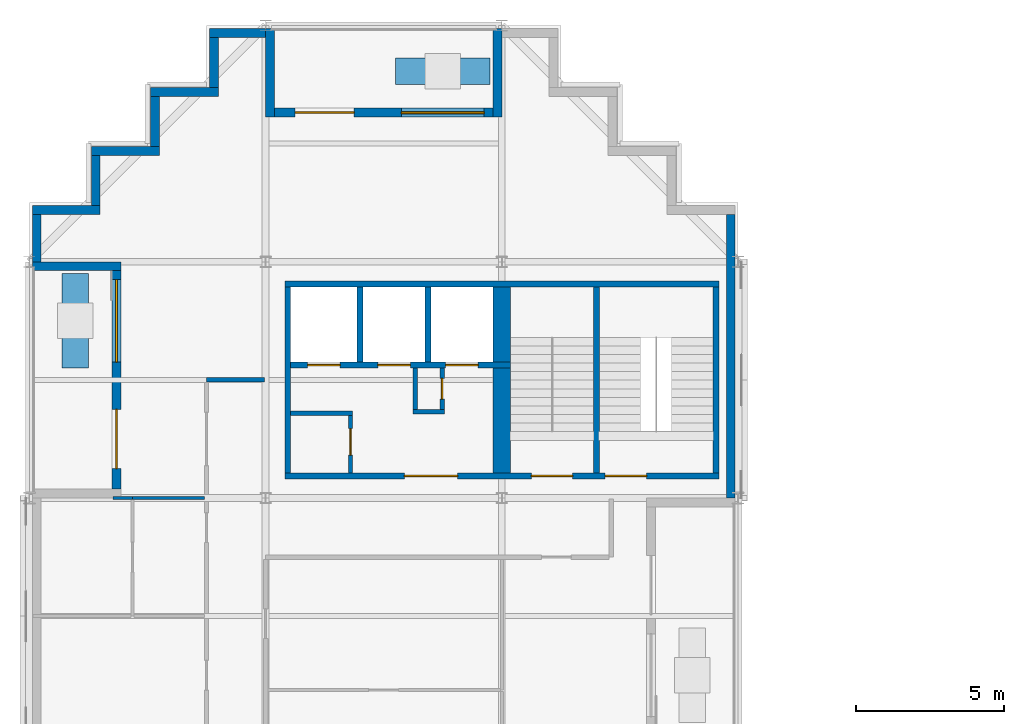
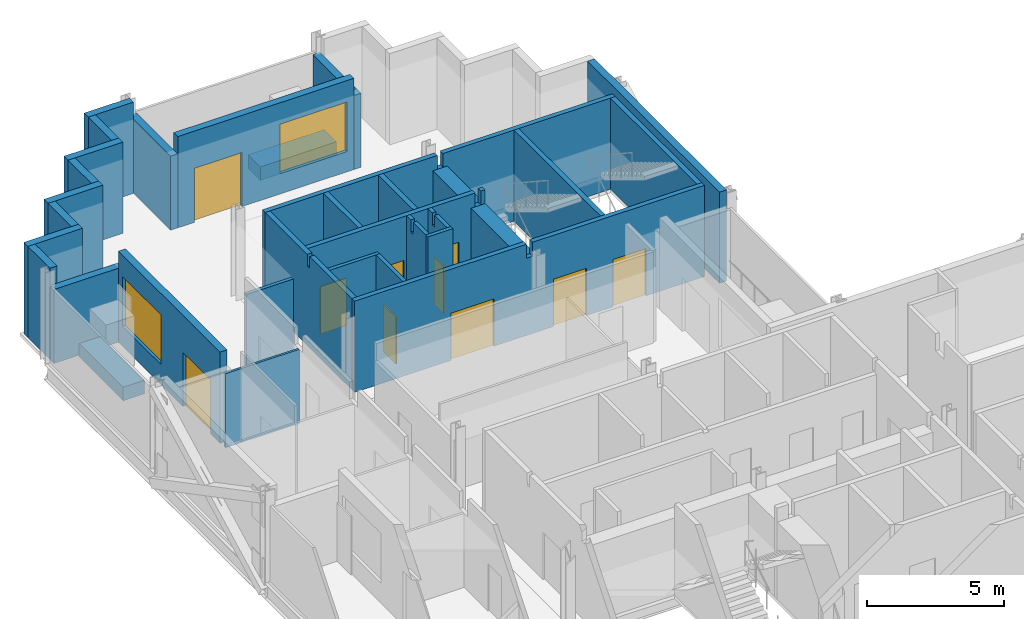
# One storey, part 8 of 12: 34 walls, 10 doors, 2 windows, 12 openings.
"""IFC4 building model written with IfcOpenShell, lengths in metres."""

import ifcopenshell
import ifcopenshell.guid

model = None  # the IFC model being written
_history = None  # IfcOwnerHistory: only IFC2X3 demands one
_inside = {}  # id of a spatial element -> (the spatial element, [elements in it])
_under = {}  # id of a project, library or spatial element -> (it, [spatial elements below it])
_declared = {}  # id of a project -> (the project, [libraries it declares])
_typed = {}  # id of a type object -> (the type object, [elements of that type])
_made_of = {}  # id of a material, layer set ... -> (it, [elements and type objects made of it])


def new_model(schema):
    """Start an empty IFC model of exactly this schema.

    Asked for "IFC4X3", IfcOpenShell would pick the latest addendum, in which some entities
    have other attributes; the version numbers below select the first issue.
    IFC2X3 requires an IfcOwnerHistory on every rooted entity: one is made here for all.
    """
    global model, _history
    if schema == "IFC4X3":
        model = ifcopenshell.file(schema_version=(4, 3, 0, 0))
    else:
        model = ifcopenshell.file(schema=schema)
    _inside.clear()
    _under.clear()
    _declared.clear()
    _typed.clear()
    _made_of.clear()
    _history = None
    if model.schema == "IFC2X3":
        org = make("IfcOrganization", Name="unknown")
        user = make(
            "IfcPersonAndOrganization",
            ThePerson=make("IfcPerson", FamilyName="unknown"),
            TheOrganization=org,
        )
        app = make(
            "IfcApplication",
            ApplicationDeveloper=org,
            Version="unknown",
            ApplicationFullName="unknown",
            ApplicationIdentifier="unknown",
        )
        _history = make(
            "IfcOwnerHistory",
            OwningUser=user,
            OwningApplication=app,
            ChangeAction="ADDED",
            CreationDate=0,
        )
    return model


def make(cls, **values):
    """One entity of the class cls with the attributes given. An attribute that is None is left unset."""
    return model.create_entity(
        cls, **{name: value for name, value in values.items() if value is not None}
    )


def rooted(cls, **values):
    """An entity with a GlobalId (a new one), such as an element, a storey or a relation."""
    return make(cls, GlobalId=ifcopenshell.guid.new(), OwnerHistory=_history, **values)


def si_unit(unit_type, name, prefix=None):
    """IfcSIUnit, for example si_unit("LENGTHUNIT", "METRE", prefix="MILLI")."""
    return make("IfcSIUnit", UnitType=unit_type, Prefix=prefix, Name=name)


def assignment(units):
    """IfcUnitAssignment: the units of a project."""
    return None if units is None else make("IfcUnitAssignment", Units=units)


def point(xyz):
    """IfcCartesianPoint."""
    return None if xyz is None else make("IfcCartesianPoint", Coordinates=xyz)


def direction(xyz):
    """IfcDirection."""
    return None if xyz is None else make("IfcDirection", DirectionRatios=xyz)


def frame(location, z_axis=None, x_axis=None):
    """IfcAxis2Placement3D, a coordinate frame: its origin and axes. An axis left out is left unset."""
    return make(
        "IfcAxis2Placement3D",
        Location=point(location),
        Axis=direction(z_axis),
        RefDirection=direction(x_axis),
    )


def frame_2d(location, x_axis=None):
    """IfcAxis2Placement2D, a coordinate frame in the plane: its origin and x axis."""
    return make(
        "IfcAxis2Placement2D", Location=point(location), RefDirection=direction(x_axis)
    )


def origin():
    """The frame at (0, 0, 0) with its axes left unset."""
    return frame((0.0, 0.0, 0.0))


def place(relative_to, where):
    """IfcLocalPlacement: puts the frame where relative to a parent placement (None: the world)."""
    return make(
        "IfcLocalPlacement", PlacementRelTo=relative_to, RelativePlacement=where
    )


def context(
    kind, dimensions, precision=None, world=None, true_north=None, identifier=None
):
    """IfcGeometricRepresentationContext, for example the 3D "Model" context."""
    return make(
        "IfcGeometricRepresentationContext",
        ContextIdentifier=identifier,
        ContextType=kind,
        CoordinateSpaceDimension=dimensions,
        Precision=precision,
        WorldCoordinateSystem=world,
        TrueNorth=true_north,
    )


def subcontext(parent, identifier, kind, view, scale=None):
    """IfcGeometricRepresentationSubContext, for example "Body" below "Model"."""
    return make(
        "IfcGeometricRepresentationSubContext",
        ContextIdentifier=identifier,
        ContextType=kind,
        ParentContext=parent,
        TargetScale=scale,
        TargetView=view,
    )


def project(units=None, contexts=None):
    """IfcProject with its units and contexts."""
    return rooted(
        "IfcProject",
        Name="project",
        RepresentationContexts=contexts,
        UnitsInContext=assignment(units),
    )


def spatial(cls, under=None, at=None, **own):
    """A site, building, storey or space (cls), placed at a placement, below another one or the project."""
    s = rooted(cls, ObjectPlacement=at, **own)
    if under is not None:
        _under.setdefault(under.id(), (under, []))[1].append(s)
    return s


def polyline(points):
    """IfcPolyline through the points."""
    return make("IfcPolyline", Points=[point(p) for p in points])


def profile(cls, at=None, kind="AREA", **sizes):
    """A parametric profile (cls). Its sizes go by their IFC names, for example OverallWidth=200.0."""
    return make(cls, ProfileType=kind, Position=at, **sizes)


def rectangle(**sizes):
    """IfcRectangleProfileDef."""
    return profile("IfcRectangleProfileDef", **sizes)


def outline(outer, holes=None, kind="AREA"):
    """IfcArbitraryClosedProfileDef: a profile drawn as a closed curve; with holes, ...WithVoids."""
    if holes is None:
        return make("IfcArbitraryClosedProfileDef", ProfileType=kind, OuterCurve=outer)
    return make(
        "IfcArbitraryProfileDefWithVoids",
        ProfileType=kind,
        OuterCurve=outer,
        InnerCurves=holes,
    )


def extrude(swept, where, along, depth):
    """IfcExtrudedAreaSolid: the profile swept, set in the frame where, extruded along a direction by depth."""
    return make(
        "IfcExtrudedAreaSolid",
        SweptArea=swept,
        Position=where,
        ExtrudedDirection=direction(along),
        Depth=depth,
    )


def shape(context_of_items, identifier, shape_type, items):
    """IfcShapeRepresentation: the items that make up one representation, for example the "Body"."""
    return make(
        "IfcShapeRepresentation",
        ContextOfItems=context_of_items,
        RepresentationIdentifier=identifier,
        RepresentationType=shape_type,
        Items=items,
    )


def material(Name=None, Category=None):
    """IfcMaterial."""
    return make("IfcMaterial", Name=Name, Category=Category)


def layer(
    of_material, thickness, ventilated=None, Name=None, Category=None, Priority=None
):
    """IfcMaterialLayer: one layer of a wall or slab, of a material (None: an air gap)."""
    return make(
        "IfcMaterialLayer",
        Material=of_material,
        LayerThickness=thickness,
        IsVentilated=ventilated,
        Name=Name,
        Category=Category,
        Priority=Priority,
    )


def layer_set(layers, Name=None):
    """IfcMaterialLayerSet."""
    return make("IfcMaterialLayerSet", MaterialLayers=layers, LayerSetName=Name)


def made_of(thing, what):
    """Note that an element or type object is made of a material, layer set ...; save() writes the relation."""
    if what is not None:
        _made_of.setdefault(what.id(), (what, []))[1].append(thing)
    return thing


def type_object(cls, material=None, **own):
    """A type object (cls), such as IfcWallType, which elements share."""
    return made_of(rooted(cls, **own), material)


def element(
    cls,
    number,
    at=None,
    inside=None,
    cuts=None,
    type_object=None,
    material=None,
    context=None,
    identifier="Body",
    shape_type=None,
    held_by="IfcProductDefinitionShape",
    body=None,
    shapes=None,
    **own,
):
    """One element of the class cls, such as IfcWall. Its Tag is "e" and its number.

    at: its placement. inside: the storey or other place that contains it. cuts: it is an
    opening in that element (IfcRelVoidsElement). A single representation is given by context,
    identifier, shape_type and body (its items); several are given by shapes. held_by: the class
    of the entity that holds the representations. save() writes the other relations.
    """
    e = rooted(cls, Tag="e%d" % number, ObjectPlacement=at, **own)
    if body is not None:
        shapes = [shape(context, identifier, shape_type, body)]
    if shapes is not None:
        e.Representation = make(held_by, Representations=shapes)
    if inside is not None:
        _inside.setdefault(inside.id(), (inside, []))[1].append(e)
    if cuts is not None:
        rooted(
            "IfcRelVoidsElement", RelatingBuildingElement=cuts, RelatedOpeningElement=e
        )
    if type_object is not None:
        _typed.setdefault(type_object.id(), (type_object, []))[1].append(e)
    return made_of(e, material)


def fill(opening, filler):
    """IfcRelFillsElement: the door or window that sits in an opening."""
    return rooted(
        "IfcRelFillsElement",
        RelatingOpeningElement=opening,
        RelatedBuildingElement=filler,
    )


def aggregate(whole, parts):
    """IfcRelAggregates: a whole, such as a stair, and the parts it consists of."""
    return rooted("IfcRelAggregates", RelatingObject=whole, RelatedObjects=parts)


def save(model, path):
    """Write the relations noted so far, then the file.

    IfcRelAggregates (storeys below a building ...), IfcRelContainedInSpatialStructure (elements
    in a storey), IfcRelDefinesByType, IfcRelAssociatesMaterial and IfcRelDeclares: one each for
    every whole, place, type object, material and project.
    """
    for whole, parts in _under.values():
        aggregate(whole, parts)
    for where, things in _inside.values():
        rooted(
            "IfcRelContainedInSpatialStructure",
            RelatedElements=things,
            RelatingStructure=where,
        )
    for kind, things in _typed.values():
        rooted("IfcRelDefinesByType", RelatedObjects=things, RelatingType=kind)
    for what, things in _made_of.values():
        rooted("IfcRelAssociatesMaterial", RelatedObjects=things, RelatingMaterial=what)
    for by, libraries in _declared.values():
        rooted("IfcRelDeclares", RelatingContext=by, RelatedDefinitions=libraries)
    model.write(path)


model = new_model("IFC4")

# Units and contexts
model_context = context("Model", 3, precision=1e-05, world=origin(), true_north=direction((0.0, 1.0)))
body_context = subcontext(model_context, "Body", "Model", "MODEL_VIEW")
ifc_project = project(units=[si_unit("LENGTHUNIT", "METRE"), si_unit("AREAUNIT", "SQUARE_METRE"), si_unit("VOLUMEUNIT", "CUBIC_METRE"), si_unit("PLANEANGLEUNIT", "RADIAN"), si_unit("MASSUNIT", "GRAM", prefix="KILO")], contexts=[model_context])

# Site, building, storey
site_placement = place(None, origin())
site = spatial("IfcSite", under=ifc_project, at=site_placement, CompositionType="ELEMENT")
building_placement = place(site_placement, origin())
building = spatial("IfcBuilding", under=site, at=building_placement, Name="Immortelle Media Tower", CompositionType="ELEMENT")
storey_placement = place(building_placement, frame((0.0, 0.0, 145.199951171875)))
storey = spatial("IfcBuildingStorey", under=building, at=storey_placement, Name="L29", CompositionType="ELEMENT", Elevation=145.199951171875)

# Wall
ifc_material_1 = material(Name="Fire-rated gypsum board", Category="gypsum")
ifc_layer_1 = layer(ifc_material_1, 0.02490234375)
ifc_material_2 = material(Name="Steel ASTM A653 SS Gr 50 stud frame with mineral wool", Category="steel")
ifc_layer_2 = layer(ifc_material_2, 0.10009765625)
ifc_layer_3 = layer(ifc_material_1, 0.02490234375)
ifc_layer_set_1 = layer_set([ifc_layer_1, ifc_layer_2, ifc_layer_3], Name="Steel ASTM A653 SS Gr 50 stud frame with mineral wool")
wall_type_1 = type_object("IfcWallType", Name="Core partition 150", PredefinedType="PARTITIONING", material=ifc_layer_set_1)
wall_1_placement = place(storey_placement, frame((8.85009765625, 34.875, 0.0), z_axis=(0.0, 0.0, 1.0), x_axis=(1.0, 0.0, 0.0)))
element("IfcWall", 1, at=wall_1_placement, inside=storey, type_object=wall_type_1, Name="Core partition NW", PredefinedType="PARTITIONING", context=body_context, shape_type="SweptSolid", body=[
    extrude(rectangle(XDim=2.099853515625, YDim=0.14990234375, at=frame_2d((1.0498046875, 0.0))), origin(), (0.0, 0.0, 1.0), 4.050048828125),
])

# Wall, opening, door
wall_2_placement = place(storey_placement, frame((10.875, 32.85009765625, 0.0), z_axis=(0.0, 0.0, 1.0), x_axis=(0.0, 1.0, 0.0)))
wall_2 = element("IfcWall", 2, at=wall_2_placement, inside=storey, type_object=wall_type_1, Name="Core partition NW", PredefinedType="PARTITIONING", context=body_context, shape_type="SweptSolid", body=[
    extrude(rectangle(XDim=1.949951171875, YDim=0.14990234375, at=frame_2d((0.97509765625, 0.0))), origin(), (0.0, 0.0, 1.0), 4.050048828125),
])
opening_1_placement = place(wall_2_placement, frame((0.60009765625, 0.0, 0.0)))
opening_1 = element("IfcOpeningElement", 3, at=opening_1_placement, cuts=wall_2, Name="Opening C3-K024", PredefinedType="OPENING", context=body_context, shape_type="SweptSolid", body=[
    extrude(rectangle(XDim=0.89990234375, YDim=2.10009765625, at=frame_2d((0.449951171875, 1.050048828125))), frame((0.0, 0.0849609375, 0.0), z_axis=(0.0, -1.0, 0.0), x_axis=(1.0, 0.0, 0.0)), (0.0, 0.0, 1.0), 0.169921875),
])
ifc_material_3 = material(Name="Galvanised steel door leaf and frame ASTM A653", Category="steel")
door_type_1 = type_object("IfcDoorType", Name="Service door 900 x 2100", OperationType="NOTDEFINED", PredefinedType="NOTDEFINED", material=ifc_material_3)
door_1_placement = place(opening_1_placement, origin())
door_1 = element("IfcDoor", 4, at=door_1_placement, inside=storey, type_object=door_type_1, Name="Service C3-K024", OperationType="SINGLE_SWING_RIGHT", OverallHeight=2.10009765625, OverallWidth=0.89990234375, PredefinedType="NOTDEFINED", context=body_context, shape_type="SweptSolid", body=[
    extrude(rectangle(XDim=0.89990234375, YDim=2.10009765625, at=frame_2d((0.449951171875, 1.050048828125))), frame((0.0, 0.02490234375, 0.0), z_axis=(0.0, -1.0, 0.0), x_axis=(1.0, 0.0, 0.0)), (0.0, 0.0, 1.0), 0.050048828125),
])
fill(opening_1, door_1)

# Walls
wall_3_placement = place(storey_placement, frame((13.0, 34.925048828125, 0.0), z_axis=(0.0, 0.0, 1.0), x_axis=(1.0, 0.0, 0.0)))
element("IfcWall", 5, at=wall_3_placement, inside=storey, type_object=wall_type_1, Name="Core partition NW", PredefinedType="PARTITIONING", context=body_context, shape_type="SweptSolid", body=[
    extrude(rectangle(XDim=1.050048828125, YDim=0.14990234375, at=frame_2d((0.52490234375, 0.0))), origin(), (0.0, 0.0, 1.0), 4.050048828125),
])
wall_4_placement = place(storey_placement, frame((13.074951171875, 35.0, 0.0), z_axis=(0.0, 0.0, 1.0), x_axis=(0.0, 1.0, 0.0)))
element("IfcWall", 6, at=wall_4_placement, inside=storey, type_object=wall_type_1, Name="Core partition NW", PredefinedType="PARTITIONING", context=body_context, shape_type="SweptSolid", body=[
    extrude(outline(polyline([(0.0, 0.0), (1.39990234375, 0.0), (1.39990234375, 4.050048828125), (1.08740234375, 4.050048828125), (1.08642578125, 3.51806640625), (0.91357421875, 3.51806640625), (0.91259765625, 4.050048828125), (0.0, 4.050048828125), (0.0, 0.0)])), frame((0.0, 0.074951171875, 0.0), z_axis=(0.0, -1.0, 0.0), x_axis=(1.0, 0.0, 0.0)), (0.0, 0.0, 1.0), 0.14990234375),
])

# Wall, opening, door
wall_5_placement = place(storey_placement, frame((13.97509765625, 35.0, 0.0), z_axis=(0.0, 0.0, 1.0), x_axis=(0.0, 1.0, 0.0)))
wall_5 = element("IfcWall", 7, at=wall_5_placement, inside=storey, type_object=wall_type_1, Name="Core partition NW", PredefinedType="PARTITIONING", context=body_context, shape_type="SweptSolid", body=[
    extrude(outline(polyline([(0.0, 0.0), (1.39990234375, 0.0), (1.39990234375, 4.050048828125), (1.08740234375, 4.050048828125), (1.08642578125, 3.51806640625), (0.91357421875, 3.51806640625), (0.91259765625, 4.050048828125), (0.0, 4.050048828125), (0.0, 0.0)])), frame((0.0, 0.074951171875, 0.0), z_axis=(0.0, -1.0, 0.0), x_axis=(1.0, 0.0, 0.0)), (0.0, 0.0, 1.0), 0.14990234375),
])
opening_2_placement = place(wall_5_placement, frame((0.35009765625, 0.0, 0.0)))
opening_2 = element("IfcOpeningElement", 8, at=opening_2_placement, cuts=wall_5, Name="Opening C3-K027", PredefinedType="OPENING", context=body_context, shape_type="SweptSolid", body=[
    extrude(rectangle(XDim=0.699951171875, YDim=2.10009765625, at=frame_2d((0.35009765625, 1.050048828125))), frame((0.0, 0.0849609375, 0.0), z_axis=(0.0, -1.0, 0.0), x_axis=(1.0, 0.0, 0.0)), (0.0, 0.0, 1.0), 0.169921875),
])
door_type_2 = type_object("IfcDoorType", Name="Service door 700 x 2100", OperationType="NOTDEFINED", PredefinedType="NOTDEFINED", material=ifc_material_3)
door_2_placement = place(opening_2_placement, origin())
door_2 = element("IfcDoor", 9, at=door_2_placement, inside=storey, type_object=door_type_2, Name="Service C3-K027", OperationType="SINGLE_SWING_RIGHT", OverallHeight=2.10009765625, OverallWidth=0.699951171875, PredefinedType="NOTDEFINED", context=body_context, shape_type="SweptSolid", body=[
    extrude(rectangle(XDim=0.699951171875, YDim=2.10009765625, at=frame_2d((0.35009765625, 1.050048828125))), frame((0.0, 0.02490234375, 0.0), z_axis=(0.0, -1.0, 0.0), x_axis=(1.0, 0.0, 0.0)), (0.0, 0.0, 1.0), 0.050048828125),
])
fill(opening_2, door_2)

# Wall
ifc_layer_4 = layer(ifc_material_1, 0.03759765625)
ifc_layer_5 = layer(ifc_material_2, 0.125)
ifc_layer_6 = layer(ifc_material_1, 0.03759765625)
ifc_layer_set_2 = layer_set([ifc_layer_4, ifc_layer_5, ifc_layer_6], Name="Steel ASTM A653 SS Gr 50 stud frame with mineral wool")
wall_type_2 = type_object("IfcWallType", Name="Core shaft wall 200", PredefinedType="PARTITIONING", material=ifc_layer_set_2)
wall_6_placement = place(storey_placement, frame((8.75, 32.85009765625, 0.0), z_axis=(0.0, 0.0, 1.0), x_axis=(0.0, 1.0, 0.0)))
element("IfcWall", 10, at=wall_6_placement, inside=storey, type_object=wall_type_2, Name="Core shaft wall NW", PredefinedType="PARTITIONING", context=body_context, shape_type="SweptSolid", body=[
    extrude(outline(polyline([(0.0, 0.0), (6.2998046875, 0.0), (6.300048828125, 4.050048828125), (3.237548828125, 4.050048828125), (3.236572265625, 3.51806640625), (3.0634765625, 3.51806640625), (3.0625, 4.050048828125), (0.0, 4.050048828125), (0.0, 0.0)])), frame((0.0, 0.10009765625, 0.0), z_axis=(0.0, -1.0, 0.0), x_axis=(1.0, 0.0, 0.0)), (0.0, 0.0, 1.0), 0.199951171875),
])

# Wall, openings, doors
wall_7_placement = place(storey_placement, frame((8.85009765625, 36.5, 0.0), z_axis=(0.0, 0.0, 1.0), x_axis=(1.0, 0.0, 0.0)))
wall_7 = element("IfcWall", 11, at=wall_7_placement, inside=storey, type_object=wall_type_2, Name="Core shaft wall NW", PredefinedType="PARTITIONING", context=body_context, shape_type="SweptSolid", body=[
    extrude(outline(polyline([(0.0, 0.0), (7.449951171875, 0.0), (7.449951171875, 4.050048828125), (7.26953125, 4.050048828125), (7.2685546875, 3.43212890625), (7.031494140625, 3.43212890625), (7.030517578125, 4.050048828125), (0.0, 4.050048828125), (0.0, 0.0)])), frame((0.0, 0.10009765625, 0.0), z_axis=(0.0, -1.0, 0.0), x_axis=(1.0, 0.0, 0.0)), (0.0, 0.0, 1.0), 0.199951171875),
])
opening_3_placement = place(wall_7_placement, frame((0.574951171875, 0.0, 0.0)))
opening_3 = element("IfcOpeningElement", 12, at=opening_3_placement, cuts=wall_7, Name="Opening LD", PredefinedType="OPENING", context=body_context, shape_type="SweptSolid", body=[
    extrude(rectangle(XDim=1.10009765625, YDim=2.10009765625, at=frame_2d((0.550048828125, 1.050048828125))), frame((0.0, 0.10986328125, 0.0), z_axis=(0.0, -1.0, 0.0), x_axis=(1.0, 0.0, 0.0)), (0.0, 0.0, 1.0), 0.219970703125),
])
opening_4_placement = place(wall_7_placement, frame((2.949951171875, 0.0, 0.0)))
opening_4 = element("IfcOpeningElement", 13, at=opening_4_placement, cuts=wall_7, Name="Opening LD", PredefinedType="OPENING", context=body_context, shape_type="SweptSolid", body=[
    extrude(rectangle(XDim=1.10009765625, YDim=2.10009765625, at=frame_2d((0.550048828125, 1.050048828125))), frame((0.0, 0.10986328125, 0.0), z_axis=(0.0, -1.0, 0.0), x_axis=(1.0, 0.0, 0.0)), (0.0, 0.0, 1.0), 0.219970703125),
])
opening_5_placement = place(wall_7_placement, frame((5.25, 0.0, 0.0)))
opening_5 = element("IfcOpeningElement", 14, at=opening_5_placement, cuts=wall_7, Name="Opening LD", PredefinedType="OPENING", context=body_context, shape_type="SweptSolid", body=[
    extrude(rectangle(XDim=1.10009765625, YDim=2.10009765625, at=frame_2d((0.550048828125, 1.050048828125))), frame((0.0, 0.10986328125, 0.0), z_axis=(0.0, -1.0, 0.0), x_axis=(1.0, 0.0, 0.0)), (0.0, 0.0, 1.0), 0.219970703125),
])
ifc_material_4 = material(Name="Stainless steel AISI 304", Category="steel")
door_type_3 = type_object("IfcDoorType", Name="Landing door 1100 x 2100", OperationType="SLIDING_TO_LEFT", PredefinedType="NOTDEFINED", material=ifc_material_4)
door_3_placement = place(opening_3_placement, origin())
door_3 = element("IfcDoor", 15, at=door_3_placement, inside=storey, type_object=door_type_3, Name="Landing door MR1 L29", OperationType="SLIDING_TO_LEFT", OverallHeight=2.10009765625, OverallWidth=1.10009765625, PredefinedType="NOTDEFINED", context=body_context, shape_type="SweptSolid", body=[
    extrude(rectangle(XDim=1.10009765625, YDim=2.10009765625, at=frame_2d((0.550048828125, 1.050048828125))), frame((0.0, 0.02490234375, 0.0), z_axis=(0.0, -1.0, 0.0), x_axis=(1.0, 0.0, 0.0)), (0.0, 0.0, 1.0), 0.050048828125),
])
fill(opening_3, door_3)
door_4_placement = place(opening_4_placement, origin())
door_4 = element("IfcDoor", 16, at=door_4_placement, inside=storey, type_object=door_type_3, Name="Landing door MR2 L29", OperationType="SLIDING_TO_LEFT", OverallHeight=2.10009765625, OverallWidth=1.10009765625, PredefinedType="NOTDEFINED", context=body_context, shape_type="SweptSolid", body=[
    extrude(rectangle(XDim=1.10009765625, YDim=2.10009765625, at=frame_2d((0.550048828125, 1.050048828125))), frame((0.0, 0.02490234375, 0.0), z_axis=(0.0, -1.0, 0.0), x_axis=(1.0, 0.0, 0.0)), (0.0, 0.0, 1.0), 0.050048828125),
])
fill(opening_4, door_4)
door_5_placement = place(opening_5_placement, origin())
door_5 = element("IfcDoor", 17, at=door_5_placement, inside=storey, type_object=door_type_3, Name="Landing door MR3 L29", OperationType="SLIDING_TO_LEFT", OverallHeight=2.10009765625, OverallWidth=1.10009765625, PredefinedType="NOTDEFINED", context=body_context, shape_type="SweptSolid", body=[
    extrude(rectangle(XDim=1.10009765625, YDim=2.10009765625, at=frame_2d((0.550048828125, 1.050048828125))), frame((0.0, 0.02490234375, 0.0), z_axis=(0.0, -1.0, 0.0), x_axis=(1.0, 0.0, 0.0)), (0.0, 0.0, 1.0), 0.050048828125),
])
fill(opening_5, door_5)

# Walls
for number, where, z_axis, x_axis, name in (
    (18, (11.199951171875, 36.60009765625, 0.0), (0.0, 0.0, 1.0), (0.0, 1.0, 0.0), "Core shaft wall NW"),
    (19, (13.5, 36.60009765625, 0.0), (0.0, 0.0, 1.0), (0.0, 1.0, 0.0), "Core shaft wall NW"),
):
    element("IfcWall", number, at=place(storey_placement, frame(where, z_axis=z_axis, x_axis=x_axis)), inside=storey, type_object=wall_type_2, Name=name, PredefinedType="PARTITIONING", context=body_context, shape_type="SweptSolid", body=[
        extrude(rectangle(XDim=2.5498046875, YDim=0.199951171875, at=frame_2d((1.27490234375, 0.0))), origin(), (0.0, 0.0, 1.0), 4.050048828125),
    ])
ifc_layer_7 = layer(ifc_material_1, 0.012451171875)
ifc_layer_8 = layer(ifc_material_2, 0.125)
ifc_layer_9 = layer(ifc_material_1, 0.012451171875)
ifc_layer_set_3 = layer_set([ifc_layer_7, ifc_layer_8, ifc_layer_9], Name="Steel ASTM A653 SS Gr 50 stud frame with mineral wool")
wall_type_3 = type_object("IfcWallType", Name="Corridor wall 150", PredefinedType="PARTITIONING", material=ifc_layer_set_3)
wall_8_placement = place(storey_placement, frame((6.0, 36.0, 0.0), z_axis=(0.0, 0.0, 1.0), x_axis=(1.0, 0.0, 0.0)))
element("IfcWall", 20, at=wall_8_placement, inside=storey, type_object=wall_type_3, Name="Partition L29-030", PredefinedType="PARTITIONING", context=body_context, shape_type="SweptSolid", body=[
    extrude(rectangle(XDim=1.969970703125, YDim=0.14990234375, at=frame_2d((0.98486328125, 0.0))), origin(), (0.0, 0.0, 1.0), 3.2880859375),
])
ifc_material_5 = material(Name="Pale aluminium cladding panel", Category="aluminium")
ifc_layer_10 = layer(ifc_material_5, 0.030029296875)
ifc_layer_11 = layer(ifc_material_2, 0.257568359375)
ifc_material_6 = material(Name="Moisture-resistant gypsum board", Category="gypsum")
ifc_layer_12 = layer(ifc_material_6, 0.012451171875)
ifc_layer_set_4 = layer_set([ifc_layer_10, ifc_layer_11, ifc_layer_12], Name="Steel ASTM A653 SS Gr 50 stud frame with mineral wool")
wall_type_4 = type_object("IfcWallType", Name="Facade wall 300", PredefinedType="SOLIDWALL", material=ifc_layer_set_4)
wall_9_placement = place(storey_placement, frame((23.75, 32.0, 0.0), z_axis=(0.0, 0.0, 1.0), x_axis=(0.0, 1.0, 0.0)))
element("IfcWall", 21, at=wall_9_placement, inside=storey, type_object=wall_type_4, Name="Facade wall L29 E21", PredefinedType="SOLIDWALL", context=body_context, shape_type="SweptSolid", body=[
    extrude(rectangle(XDim=9.60009765625, YDim=0.300048828125, at=frame_2d((4.800048828125, 0.0))), origin(), (0.0, 0.0, 1.0), 4.050048828125),
])

# Wall, openings, door, window
wall_10_placement = place(storey_placement, frame((15.699951171875, 45.050048828125, 0.0), z_axis=(0.0, 0.0, 1.0), x_axis=(-1.0, 0.0, 0.0)))
wall_10 = element("IfcWall", 22, at=wall_10_placement, inside=storey, type_object=wall_type_4, Name="Loggia wall L29 N28", PredefinedType="SOLIDWALL", context=body_context, shape_type="SweptSolid", body=[
    extrude(rectangle(XDim=7.39990234375, YDim=0.300048828125, at=frame_2d((3.699951171875, 0.0))), origin(), (0.0, 0.0, 1.0), 4.050048828125),
])
opening_6_placement = place(wall_10_placement, frame((0.300048828125, 0.0, 0.89990234375)))
opening_6 = element("IfcOpeningElement", 23, at=opening_6_placement, cuts=wall_10, Name="Opening W1", PredefinedType="OPENING", context=body_context, shape_type="SweptSolid", body=[
    extrude(rectangle(XDim=2.800048828125, YDim=2.199951171875, at=frame_2d((1.39990234375, 1.10009765625))), frame((0.0, 0.159912109375, 0.0), z_axis=(0.0, -1.0, 0.0), x_axis=(1.0, 0.0, 0.0)), (0.0, 0.0, 1.0), 0.320068359375),
])
opening_7_placement = place(wall_10_placement, frame((4.699951171875, 0.0, 0.0)))
opening_7 = element("IfcOpeningElement", 24, at=opening_7_placement, cuts=wall_10, Name="Opening C3-E006", PredefinedType="OPENING", context=body_context, shape_type="SweptSolid", body=[
    extrude(rectangle(XDim=2.0, YDim=2.39990234375, at=frame_2d((1.0, 1.199951171875))), frame((0.0, 0.159912109375, 0.0), z_axis=(0.0, -1.0, 0.0), x_axis=(1.0, 0.0, 0.0)), (0.0, 0.0, 1.0), 0.320068359375),
])
ifc_material_7 = material(Name="Aluminium frame, glazed leaves", Category="aluminium")
door_type_4 = type_object("IfcDoorType", Name="Loggia door 2000 x 2400", OperationType="DOUBLE_DOOR_SINGLE_SWING", PredefinedType="DOOR", material=ifc_material_7)
door_6_placement = place(opening_7_placement, origin())
door_6 = element("IfcDoor", 25, at=door_6_placement, inside=storey, type_object=door_type_4, Name="Door C3-E006", OperationType="DOUBLE_DOOR_SINGLE_SWING", OverallHeight=2.39990234375, OverallWidth=2.0, PredefinedType="DOOR", context=body_context, shape_type="SweptSolid", body=[
    extrude(rectangle(XDim=2.0, YDim=2.39990234375, at=frame_2d((1.0, 1.199951171875))), frame((0.0, 0.02490234375, 0.0), z_axis=(0.0, -1.0, 0.0), x_axis=(1.0, 0.0, 0.0)), (0.0, 0.0, 1.0), 0.050048828125),
])
fill(opening_7, door_6)
ifc_material_8 = material(Name="Aluminium frame", Category="aluminium")
window_type = type_object("IfcWindowType", Name="Window 2800 x 2200", PartitioningType="SINGLE_PANEL", PredefinedType="WINDOW", material=ifc_material_8)
window_1_placement = place(opening_6_placement, origin())
window_1 = element("IfcWindow", 26, at=window_1_placement, inside=storey, type_object=window_type, Name="Window L29 L29-R28-B0", OverallHeight=2.199951171875, OverallWidth=2.800048828125, PartitioningType="SINGLE_PANEL", PredefinedType="WINDOW", context=body_context, shape_type="SweptSolid", body=[
    extrude(rectangle(XDim=2.800048828125, YDim=2.199951171875, at=frame_2d((1.39990234375, 1.10009765625))), frame((0.0, 0.030029296875, 0.0), z_axis=(0.0, -1.0, 0.0), x_axis=(1.0, 0.0, 0.0)), (0.0, 0.0, 1.0), 0.06005859375),
])
fill(opening_6, window_1)

# Walls
for number, where, z_axis, x_axis, name in (
    (27, (15.85009765625, 47.89990234375, 0.0), (0.0, 0.0, 1.0), (0.0, -1.0, 0.0), "Loggia cheek wall L29 N"),
    (28, (8.14990234375, 47.89990234375, 0.0), (0.0, 0.0, 1.0), (0.0, -1.0, 0.0), "Loggia cheek wall L29 N"),
):
    element("IfcWall", number, at=place(storey_placement, frame(where, z_axis=z_axis, x_axis=x_axis)), inside=storey, type_object=wall_type_4, Name=name, PredefinedType="SOLIDWALL", context=body_context, shape_type="SweptSolid", body=[
        extrude(rectangle(XDim=3.0, YDim=0.300048828125, at=frame_2d((1.5, 0.0))), origin(), (0.0, 0.0, 1.0), 3.287109375),
    ])
wall_11_placement = place(storey_placement, frame((8.0, 47.75, 0.0), z_axis=(0.0, 0.0, 1.0), x_axis=(-1.0, 0.0, 0.0)))
element("IfcWall", 29, at=wall_11_placement, inside=storey, type_object=wall_type_4, Name="Facade wall L29 N28", PredefinedType="SOLIDWALL", context=body_context, shape_type="SweptSolid", body=[
    extrude(rectangle(XDim=1.89990234375, YDim=0.300048828125, at=frame_2d((0.949951171875, 0.0))), origin(), (0.0, 0.0, 1.0), 4.050048828125),
])
wall_12_placement = place(storey_placement, frame((6.25, 47.60009765625, 0.0), z_axis=(0.0, 0.0, 1.0), x_axis=(0.0, -1.0, 0.0)))
element("IfcWall", 30, at=wall_12_placement, inside=storey, type_object=wall_type_4, Name="Facade wall L29 W29", PredefinedType="SOLIDWALL", context=body_context, shape_type="SweptSolid", body=[
    extrude(rectangle(XDim=1.7001953125, YDim=0.300048828125, at=frame_2d((0.85009765625, 0.0))), origin(), (0.0, 0.0, 1.0), 4.050048828125),
])
wall_13_placement = place(storey_placement, frame((6.39990234375, 45.75, 0.0), z_axis=(0.0, 0.0, 1.0), x_axis=(-1.0, 0.0, 0.0)))
element("IfcWall", 31, at=wall_13_placement, inside=storey, type_object=wall_type_4, Name="Facade wall L29 N30", PredefinedType="SOLIDWALL", context=body_context, shape_type="SweptSolid", body=[
    extrude(rectangle(XDim=2.2998046875, YDim=0.300048828125, at=frame_2d((1.14990234375, 0.0))), origin(), (0.0, 0.0, 1.0), 4.050048828125),
])
wall_14_placement = place(storey_placement, frame((4.25, 45.60009765625, 0.0), z_axis=(0.0, 0.0, 1.0), x_axis=(0.0, -1.0, 0.0)))
element("IfcWall", 32, at=wall_14_placement, inside=storey, type_object=wall_type_4, Name="Facade wall L29 W31", PredefinedType="SOLIDWALL", context=body_context, shape_type="SweptSolid", body=[
    extrude(rectangle(XDim=1.7001953125, YDim=0.300048828125, at=frame_2d((0.85009765625, 0.0))), origin(), (0.0, 0.0, 1.0), 4.050048828125),
])
wall_15_placement = place(storey_placement, frame((4.39990234375, 43.75, 0.0), z_axis=(0.0, 0.0, 1.0), x_axis=(-1.0, 0.0, 0.0)))
element("IfcWall", 33, at=wall_15_placement, inside=storey, type_object=wall_type_4, Name="Facade wall L29 N32", PredefinedType="SOLIDWALL", context=body_context, shape_type="SweptSolid", body=[
    extrude(rectangle(XDim=2.2998046875, YDim=0.300048828125, at=frame_2d((1.14990234375, 0.0))), origin(), (0.0, 0.0, 1.0), 4.050048828125),
])
wall_16_placement = place(storey_placement, frame((2.25, 43.60009765625, 0.0), z_axis=(0.0, 0.0, 1.0), x_axis=(0.0, -1.0, 0.0)))
element("IfcWall", 34, at=wall_16_placement, inside=storey, type_object=wall_type_4, Name="Facade wall L29 W33", PredefinedType="SOLIDWALL", context=body_context, shape_type="SweptSolid", body=[
    extrude(rectangle(XDim=1.7001953125, YDim=0.300048828125, at=frame_2d((0.85009765625, 0.0))), origin(), (0.0, 0.0, 1.0), 4.050048828125),
])
wall_17_placement = place(storey_placement, frame((2.39990234375, 41.75, 0.0), z_axis=(0.0, 0.0, 1.0), x_axis=(-1.0, 0.0, 0.0)))
element("IfcWall", 35, at=wall_17_placement, inside=storey, type_object=wall_type_4, Name="Facade wall L29 N34", PredefinedType="SOLIDWALL", context=body_context, shape_type="SweptSolid", body=[
    extrude(rectangle(XDim=2.2998046875, YDim=0.300048828125, at=frame_2d((1.14990234375, 0.0))), origin(), (0.0, 0.0, 1.0), 4.050048828125),
])
wall_18_placement = place(storey_placement, frame((0.25, 41.60009765625, 0.0), z_axis=(0.0, 0.0, 1.0), x_axis=(0.0, -1.0, 0.0)))
element("IfcWall", 36, at=wall_18_placement, inside=storey, type_object=wall_type_4, Name="Facade wall L29 W35", PredefinedType="SOLIDWALL", context=body_context, shape_type="SweptSolid", body=[
    extrude(rectangle(XDim=1.60009765625, YDim=0.300048828125, at=frame_2d((0.800048828125, 0.0))), origin(), (0.0, 0.0, 1.0), 4.050048828125),
])

# Wall, openings, door, window
wall_19_placement = place(storey_placement, frame((2.949951171875, 39.699951171875, 0.0), z_axis=(0.0, 0.0, 1.0), x_axis=(0.0, -1.0, 0.0)))
wall_19 = element("IfcWall", 37, at=wall_19_placement, inside=storey, type_object=wall_type_4, Name="Loggia wall L29 W35", PredefinedType="SOLIDWALL", context=body_context, shape_type="SweptSolid", body=[
    extrude(rectangle(XDim=7.39990234375, YDim=0.300048828125, at=frame_2d((3.699951171875, 0.0))), origin(), (0.0, 0.0, 1.0), 4.050048828125),
])
opening_8_placement = place(wall_19_placement, frame((0.300048828125, 0.0, 0.89990234375)))
opening_8 = element("IfcOpeningElement", 38, at=opening_8_placement, cuts=wall_19, Name="Opening W1", PredefinedType="OPENING", context=body_context, shape_type="SweptSolid", body=[
    extrude(rectangle(XDim=2.800048828125, YDim=2.199951171875, at=frame_2d((1.39990234375, 1.10009765625))), frame((0.0, 0.159912109375, 0.0), z_axis=(0.0, -1.0, 0.0), x_axis=(1.0, 0.0, 0.0)), (0.0, 0.0, 1.0), 0.320068359375),
])
opening_9_placement = place(wall_19_placement, frame((4.699951171875, 0.0, 0.0)))
opening_9 = element("IfcOpeningElement", 39, at=opening_9_placement, cuts=wall_19, Name="Opening C3-E007", PredefinedType="OPENING", context=body_context, shape_type="SweptSolid", body=[
    extrude(rectangle(XDim=2.0, YDim=2.39990234375, at=frame_2d((1.0, 1.199951171875))), frame((0.0, 0.159912109375, 0.0), z_axis=(0.0, -1.0, 0.0), x_axis=(1.0, 0.0, 0.0)), (0.0, 0.0, 1.0), 0.320068359375),
])
door_7_placement = place(opening_9_placement, origin())
door_7 = element("IfcDoor", 40, at=door_7_placement, inside=storey, type_object=door_type_4, Name="Door C3-E007", OperationType="DOUBLE_DOOR_SINGLE_SWING", OverallHeight=2.39990234375, OverallWidth=2.0, PredefinedType="DOOR", context=body_context, shape_type="SweptSolid", body=[
    extrude(rectangle(XDim=2.0, YDim=2.39990234375, at=frame_2d((1.0, 1.199951171875))), frame((0.0, 0.02490234375, 0.0), z_axis=(0.0, -1.0, 0.0), x_axis=(1.0, 0.0, 0.0)), (0.0, 0.0, 1.0), 0.050048828125),
])
fill(opening_9, door_7)
window_2_placement = place(opening_8_placement, origin())
window_2 = element("IfcWindow", 41, at=window_2_placement, inside=storey, type_object=window_type, Name="Window L29 L29-R35-B0", OverallHeight=2.199951171875, OverallWidth=2.800048828125, PartitioningType="SINGLE_PANEL", PredefinedType="WINDOW", context=body_context, shape_type="SweptSolid", body=[
    extrude(rectangle(XDim=2.800048828125, YDim=2.199951171875, at=frame_2d((1.39990234375, 1.10009765625))), frame((0.0, 0.030029296875, 0.0), z_axis=(0.0, -1.0, 0.0), x_axis=(1.0, 0.0, 0.0)), (0.0, 0.0, 1.0), 0.06005859375),
])
fill(opening_8, window_2)

# Walls
wall_20_placement = place(storey_placement, frame((0.10009765625, 39.85009765625, 0.0), z_axis=(0.0, 0.0, 1.0), x_axis=(1.0, 0.0, 0.0)))
element("IfcWall", 42, at=wall_20_placement, inside=storey, type_object=wall_type_4, Name="Loggia cheek wall L29 W", PredefinedType="SOLIDWALL", context=body_context, shape_type="SweptSolid", body=[
    extrude(rectangle(XDim=3.0, YDim=0.300048828125, at=frame_2d((1.5, 0.0))), origin(), (0.0, 0.0, 1.0), 3.287109375),
])
ifc_material_9 = material(Name="Gypsum board", Category="gypsum")
ifc_layer_13 = layer(ifc_material_9, 0.012451171875)
ifc_layer_14 = layer(ifc_material_2, 0.074951171875)
ifc_layer_15 = layer(ifc_material_9, 0.012451171875)
ifc_layer_set_5 = layer_set([ifc_layer_13, ifc_layer_14, ifc_layer_15], Name="Steel ASTM A653 SS Gr 50 stud frame with mineral wool")
wall_type_5 = type_object("IfcWallType", Name="Partition 100", PredefinedType="PARTITIONING", material=ifc_layer_set_5)
wall_21_placement = place(storey_placement, frame((2.830078125, 32.0, 0.0), z_axis=(0.0, 0.0, 1.0), x_axis=(1.0, 0.0, 0.0)))
element("IfcWall", 43, at=wall_21_placement, inside=storey, type_object=wall_type_5, Name="Partition L29-028", PredefinedType="PARTITIONING", context=body_context, shape_type="SweptSolid", body=[
    extrude(rectangle(XDim=0.669921875, YDim=0.10009765625, at=frame_2d((0.3349609375, 0.0))), origin(), (0.0, 0.0, 1.0), 3.2880859375),
])
wall_22_placement = place(storey_placement, frame((3.5, 32.0, 0.0), z_axis=(0.0, 0.0, 1.0), x_axis=(1.0, 0.0, 0.0)))
element("IfcWall", 44, at=wall_22_placement, inside=storey, type_object=wall_type_5, Name="Partition L29-029", PredefinedType="PARTITIONING", context=body_context, shape_type="SweptSolid", body=[
    extrude(rectangle(XDim=2.425048828125, YDim=0.10009765625, at=frame_2d((1.21240234375, 0.0))), origin(), (0.0, 0.0, 1.0), 3.2880859375),
])
ifc_layer_16 = layer(ifc_material_5, 0.0029296875)
ifc_material_10 = material(Name="Steel ASTM A572 Gr 50 planter shell", Category="steel")
ifc_layer_17 = layer(ifc_material_10, 0.011962890625)
ifc_material_11 = material(Name="Planting substrate", Category="soil")
ifc_layer_18 = layer(ifc_material_11, 0.873046875)
ifc_layer_19 = layer(ifc_material_10, 0.011962890625)
ifc_layer_set_6 = layer_set([ifc_layer_16, ifc_layer_17, ifc_layer_18, ifc_layer_19], Name="Steel ASTM A572 Gr 50 planter shell")
wall_type_6 = type_object("IfcWallType", Name="Planter wall 900", PredefinedType="SOLIDWALL", material=ifc_layer_set_6)
for number, where, z_axis, x_axis, name in (
    (45, (15.60009765625, 46.449951171875, 0.0), (0.0, 0.0, 1.0), (-1.0, 0.0, 0.0), "Planter L29 N0"),
    (46, (1.550048828125, 39.60009765625, 0.0), (0.0, 0.0, 1.0), (0.0, -1.0, 0.0), "Planter L29 W0"),
):
    element("IfcWall", number, at=place(storey_placement, frame(where, z_axis=z_axis, x_axis=x_axis)), inside=storey, type_object=wall_type_6, Name=name, PredefinedType="SOLIDWALL", context=body_context, shape_type="SweptSolid", body=[
        extrude(rectangle(XDim=3.2001953125, YDim=0.89990234375, at=frame_2d((1.60009765625, 0.0))), origin(), (0.0, 0.0, 1.0), 0.60009765625),
    ])

# Wall, openings, doors
ifc_material_12 = material(Name="Concrete C60", Category="concrete")
ifc_layer_20 = layer(ifc_material_12, 0.199951171875)
ifc_layer_set_7 = layer_set([ifc_layer_20], Name="Concrete C60")
wall_type_7 = type_object("IfcWallType", Name="Stair shaft wall 200", PredefinedType="PARTITIONING", material=ifc_layer_set_7)
wall_23_placement = place(storey_placement, frame((8.64990234375, 32.75, 0.0), z_axis=(0.0, 0.0, 1.0), x_axis=(1.0, 0.0, 0.0)))
wall_23 = element("IfcWall", 47, at=wall_23_placement, inside=storey, type_object=wall_type_7, Name="Stair shaft wall NW", PredefinedType="PARTITIONING", context=body_context, shape_type="SweptSolid", body=[
    extrude(outline(polyline([(0.0, 0.0), (14.7001953125, 0.0), (14.699951171875, 4.050048828125), (7.469482421875, 4.050048828125), (7.468505859375, 3.43212890625), (7.2314453125, 3.43212890625), (7.23046875, 4.050048828125), (0.0, 4.050048828125), (0.0, 0.0)])), frame((0.0, 0.10009765625, 0.0), z_axis=(0.0, -1.0, 0.0), x_axis=(1.0, 0.0, 0.0)), (0.0, 0.0, 1.0), 0.199951171875),
])
opening_10_placement = place(wall_23_placement, frame((4.050048828125, 0.0, 0.0)))
opening_10 = element("IfcOpeningElement", 48, at=opening_10_placement, cuts=wall_23, Name="Opening C3-K026", PredefinedType="OPENING", context=body_context, shape_type="SweptSolid", body=[
    extrude(rectangle(XDim=1.800048828125, YDim=2.10009765625, at=frame_2d((0.89990234375, 1.050048828125))), frame((0.0, 0.10986328125, 0.0), z_axis=(0.0, -1.0, 0.0), x_axis=(1.0, 0.0, 0.0)), (0.0, 0.0, 1.0), 0.219970703125),
])
opening_11_placement = place(wall_23_placement, frame((8.35009765625, 0.0, 0.0)))
opening_11 = element("IfcOpeningElement", 49, at=opening_11_placement, cuts=wall_23, Name="Opening C3-K029", PredefinedType="OPENING", context=body_context, shape_type="SweptSolid", body=[
    extrude(rectangle(XDim=1.39990234375, YDim=2.10009765625, at=frame_2d((0.699951171875, 1.050048828125))), frame((0.0, 0.10986328125, 0.0), z_axis=(0.0, -1.0, 0.0), x_axis=(1.0, 0.0, 0.0)), (0.0, 0.0, 1.0), 0.219970703125),
])
opening_12_placement = place(wall_23_placement, frame((10.85009765625, 0.0, 0.0)))
opening_12 = element("IfcOpeningElement", 50, at=opening_12_placement, cuts=wall_23, Name="Opening C3-K030", PredefinedType="OPENING", context=body_context, shape_type="SweptSolid", body=[
    extrude(rectangle(XDim=1.39990234375, YDim=2.10009765625, at=frame_2d((0.699951171875, 1.050048828125))), frame((0.0, 0.10986328125, 0.0), z_axis=(0.0, -1.0, 0.0), x_axis=(1.0, 0.0, 0.0)), (0.0, 0.0, 1.0), 0.219970703125),
])
door_type_5 = type_object("IfcDoorType", Name="Lift lobby door 1800 x 2100", OperationType="DOUBLE_DOOR_SINGLE_SWING", PredefinedType="NOTDEFINED", material=ifc_material_3)
door_8_placement = place(opening_10_placement, origin())
door_8 = element("IfcDoor", 51, at=door_8_placement, inside=storey, type_object=door_type_5, Name="Lift lobby C3-K026", OperationType="DOUBLE_DOOR_SINGLE_SWING", OverallHeight=2.10009765625, OverallWidth=1.800048828125, PredefinedType="NOTDEFINED", context=body_context, shape_type="SweptSolid", body=[
    extrude(rectangle(XDim=1.800048828125, YDim=2.10009765625, at=frame_2d((0.89990234375, 1.050048828125))), frame((0.0, 0.02490234375, 0.0), z_axis=(0.0, -1.0, 0.0), x_axis=(1.0, 0.0, 0.0)), (0.0, 0.0, 1.0), 0.050048828125),
])
fill(opening_10, door_8)
door_type_6 = type_object("IfcDoorType", Name="Stair door 1400 x 2100", OperationType="DOUBLE_DOOR_SINGLE_SWING", PredefinedType="NOTDEFINED", material=ifc_material_3)
door_9_placement = place(opening_11_placement, origin())
door_9 = element("IfcDoor", 52, at=door_9_placement, inside=storey, type_object=door_type_6, Name="Stair C3-K029", OperationType="DOUBLE_DOOR_SINGLE_SWING", OverallHeight=2.10009765625, OverallWidth=1.39990234375, PredefinedType="NOTDEFINED", context=body_context, shape_type="SweptSolid", body=[
    extrude(rectangle(XDim=1.39990234375, YDim=2.10009765625, at=frame_2d((0.699951171875, 1.050048828125))), frame((0.0, 0.02490234375, 0.0), z_axis=(0.0, -1.0, 0.0), x_axis=(1.0, 0.0, 0.0)), (0.0, 0.0, 1.0), 0.050048828125),
])
fill(opening_11, door_9)
door_10_placement = place(opening_12_placement, origin())
door_10 = element("IfcDoor", 53, at=door_10_placement, inside=storey, type_object=door_type_6, Name="Stair C3-K030", OperationType="DOUBLE_DOOR_SINGLE_SWING", OverallHeight=2.10009765625, OverallWidth=1.39990234375, PredefinedType="NOTDEFINED", context=body_context, shape_type="SweptSolid", body=[
    extrude(rectangle(XDim=1.39990234375, YDim=2.10009765625, at=frame_2d((0.699951171875, 1.050048828125))), frame((0.0, 0.02490234375, 0.0), z_axis=(0.0, -1.0, 0.0), x_axis=(1.0, 0.0, 0.0)), (0.0, 0.0, 1.0), 0.050048828125),
])
fill(opening_12, door_10)

# Walls
wall_24_placement = place(storey_placement, frame((8.64990234375, 39.25, 0.0), z_axis=(0.0, 0.0, 1.0), x_axis=(1.0, 0.0, 0.0)))
element("IfcWall", 54, at=wall_24_placement, inside=storey, type_object=wall_type_7, Name="Stair shaft wall NW", PredefinedType="PARTITIONING", context=body_context, shape_type="SweptSolid", body=[
    extrude(outline(polyline([(0.0, 0.0), (14.7001953125, 0.0), (14.699951171875, 4.050048828125), (7.469482421875, 4.050048828125), (7.468505859375, 3.43212890625), (7.2314453125, 3.43212890625), (7.23046875, 4.050048828125), (0.0, 4.050048828125), (0.0, 0.0)])), frame((0.0, 0.10009765625, 0.0), z_axis=(0.0, -1.0, 0.0), x_axis=(1.0, 0.0, 0.0)), (0.0, 0.0, 1.0), 0.199951171875),
])
for number, where, z_axis, x_axis, name in (
    (55, (19.199951171875, 32.85009765625, 0.0), (0.0, 0.0, 1.0), (0.0, 1.0, 0.0), "Stair shaft wall NW"),
    (56, (23.25, 32.85009765625, 0.0), (0.0, 0.0, 1.0), (0.0, 1.0, 0.0), "Stair shaft wall NW"),
):
    element("IfcWall", number, at=place(storey_placement, frame(where, z_axis=z_axis, x_axis=x_axis)), inside=storey, type_object=wall_type_7, Name=name, PredefinedType="PARTITIONING", context=body_context, shape_type="SweptSolid", body=[
        extrude(rectangle(XDim=6.2998046875, YDim=0.199951171875, at=frame_2d((3.14990234375, 0.0))), origin(), (0.0, 0.0, 1.0), 4.050048828125),
    ])
ifc_layer_21 = layer(ifc_material_12, 0.60009765625)
ifc_layer_set_8 = layer_set([ifc_layer_21], Name="Concrete C60")
wall_type_8 = type_object("IfcWallType", Name="Stair shaft wall 600", PredefinedType="PARTITIONING", material=ifc_layer_set_8)
wall_25_placement = place(storey_placement, frame((16.0, 32.85009765625, 0.0), z_axis=(0.0, 0.0, 1.0), x_axis=(0.0, 1.0, 0.0)))
element("IfcWall", 57, at=wall_25_placement, inside=storey, type_object=wall_type_8, Name="Stair shaft wall NW", PredefinedType="PARTITIONING", context=body_context, shape_type="SweptSolid", body=[
    extrude(rectangle(XDim=3.5498046875, YDim=0.60009765625, at=frame_2d((1.77490234375, 0.0))), origin(), (0.0, 0.0, 1.0), 3.43212890625),
])
wall_26_placement = place(storey_placement, frame((16.0, 36.60009765625, 0.0), z_axis=(0.0, 0.0, 1.0), x_axis=(0.0, 1.0, 0.0)))
element("IfcWall", 58, at=wall_26_placement, inside=storey, type_object=wall_type_8, Name="Stair shaft wall NW", PredefinedType="PARTITIONING", context=body_context, shape_type="SweptSolid", body=[
    extrude(rectangle(XDim=2.5498046875, YDim=0.60009765625, at=frame_2d((1.27490234375, 0.0))), origin(), (0.0, 0.0, 1.0), 3.43212890625),
])

save(model, "model.ifc")
